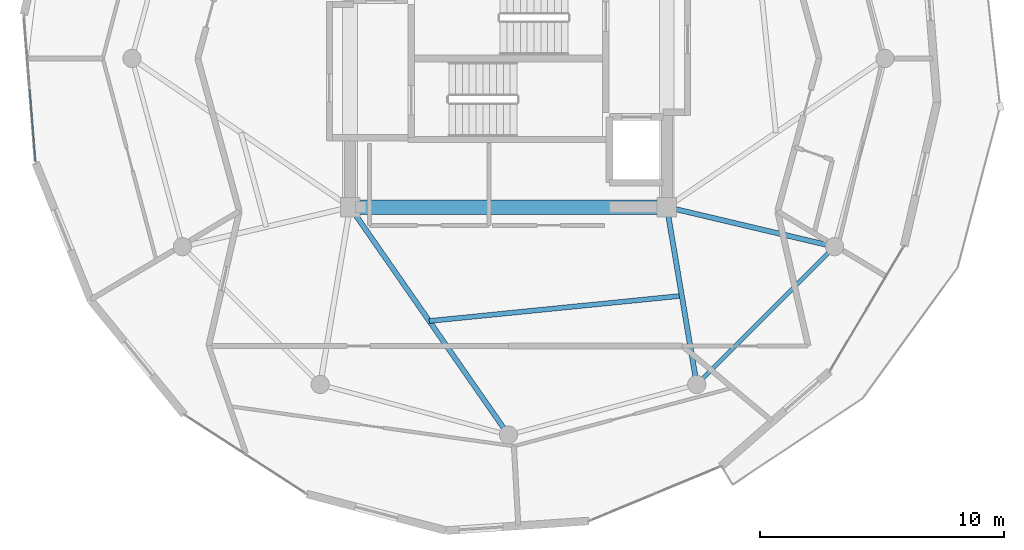
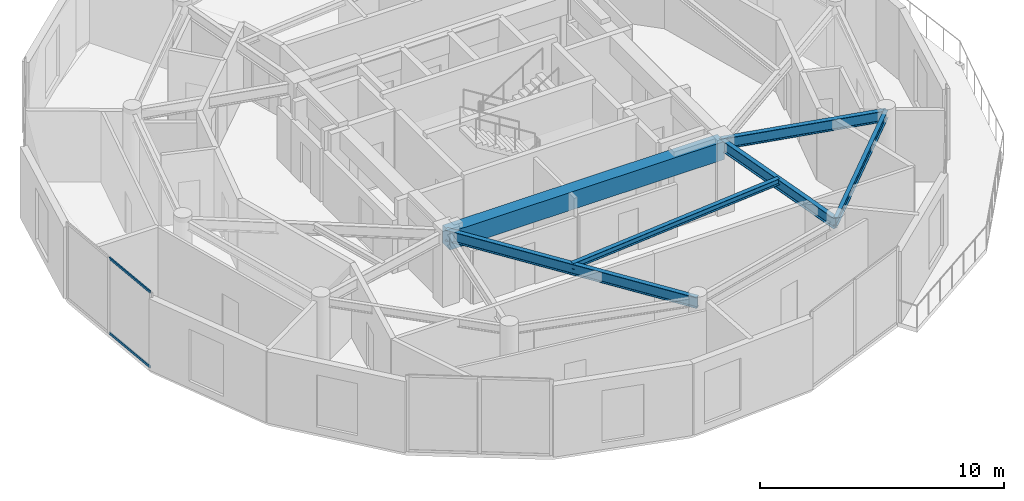
# One storey, part 7 of 22: 6 beams, 2 members, 1 element without a shape of its own.
"""IFC4 building model written with IfcOpenShell, lengths in metres."""

from ifc_helpers import new_model, si_unit, direction, frame, origin, origin_2d, place, context, subcontext, project, spatial, rectangle, hollow_rectangle, i_section, extrude, source, transform, mapped, material, layer, layer_set, material_profile, profile_set, type_object, element, aggregate, save


model = new_model("IFC4")

# Units and contexts
model_context = context("Model", 3, precision=1e-05, world=origin(), true_north=direction((0.0, 1.0)))
body_context = subcontext(model_context, "Body", "Model", "MODEL_VIEW")
ifc_project = project(units=[si_unit("LENGTHUNIT", "METRE"), si_unit("AREAUNIT", "SQUARE_METRE"), si_unit("VOLUMEUNIT", "CUBIC_METRE"), si_unit("PLANEANGLEUNIT", "RADIAN"), si_unit("MASSUNIT", "GRAM", prefix="KILO")], contexts=[model_context])

# Site, building, storey
site_placement = place(None, origin())
site = spatial("IfcSite", under=ifc_project, at=site_placement, CompositionType="ELEMENT")
building_placement = place(site_placement, origin())
building = spatial("IfcBuilding", under=site, at=building_placement, Name="Solvirekh Grand Hotel", CompositionType="ELEMENT")
storey_placement = place(building_placement, frame((0.0, 0.0, 239.199951171875)))
storey = spatial("IfcBuildingStorey", under=building, at=storey_placement, Name="L62", CompositionType="ELEMENT", Elevation=239.199951171875)

# Beams
ifc_material_1 = material(Name="Concrete C50/60", Category="concrete")
ifc_material_profile_1 = material_profile(ifc_material_1, rectangle(XDim=0.60009765625, YDim=0.89990234375, at=origin_2d()), Name="RC BEAM 600X900")
ifc_profile_set_1 = profile_set([ifc_material_profile_1], Name="Concrete C50/60")
beam_type_1 = type_object("IfcBeamType", Name="Beam_Core_RC900", PredefinedType="BEAM", material=ifc_profile_set_1)
beam_1_placement = place(storey_placement, frame((-6.5, -6.10009765625, 3.1201171875), z_axis=(1.0, 0.0, 0.0), x_axis=(0.0, 1.0, 0.0)))
element("IfcBeam", 1, at=beam_1_placement, inside=storey, type_object=beam_type_1, Name="L62 core coupling ring beam 1", PredefinedType="BEAM", context=body_context, shape_type="SweptSolid", body=[
    extrude(rectangle(XDim=0.60009765625, YDim=0.89990234375, at=origin_2d()), origin(), (0.0, 0.0, 1.0), 13.0),
])
ifc_material_2 = material(Name="Steel S355", Category="steel")
ifc_material_profile_2 = material_profile(ifc_material_2, i_section(OverallWidth=0.2119140625, OverallDepth=0.5439453125, WebThickness=0.011962890625, FlangeThickness=0.01904296875, FilletRadius=0.013916015625, at=origin_2d()), Name="W530X123")
ifc_profile_set_2 = profile_set([ifc_material_profile_2], Name="Steel S355")
beam_type_2 = type_object("IfcBeamType", Name="Beam_Radial_W530H", PredefinedType="BEAM", material=ifc_profile_set_2)
beam_2_placement = place(storey_placement, frame((-6.5, -6.10009765625, 3.298095703125), z_axis=(0.570813192472, -0.821079959139, 0.0), x_axis=(0.821079959139, 0.570813192472, 0.0)))
element("IfcBeam", 2, at=beam_2_placement, inside=storey, type_object=beam_type_2, Name="L62 radial floor beam R10", PredefinedType="BEAM", context=body_context, shape_type="SweptSolid", body=[
    extrude(i_section(OverallWidth=0.2119140625, OverallDepth=0.5439453125, WebThickness=0.011962890625, FlangeThickness=0.01904296875, FilletRadius=0.013916015625, at=origin_2d()), origin(), (0.0, 0.0, 1.0), 11.38720703125),
])
beam_3_placement = place(storey_placement, frame((6.5, -6.10009765625, 3.298095703125), z_axis=(0.165954049106, -0.986133486697, 0.0), x_axis=(0.986133486697, 0.165954049106, 0.0)))
element("IfcBeam", 3, at=beam_3_placement, inside=storey, type_object=beam_type_2, Name="L62 radial floor beam R11", PredefinedType="BEAM", context=body_context, shape_type="SweptSolid", body=[
    extrude(i_section(OverallWidth=0.2119140625, OverallDepth=0.5439453125, WebThickness=0.011962890625, FlangeThickness=0.01904296875, FilletRadius=0.013916015625, at=origin_2d()), origin(), (0.0, 0.0, 1.0), 7.382080078125),
])
beam_4_placement = place(storey_placement, frame((6.5, -6.10009765625, 3.298095703125), z_axis=(0.973221147544, -0.229870828888, 0.0), x_axis=(0.229870828888, 0.973221147544, 0.0)))
element("IfcBeam", 4, at=beam_4_placement, inside=storey, type_object=beam_type_2, Name="L62 radial floor beam R12", PredefinedType="BEAM", context=body_context, shape_type="SweptSolid", body=[
    extrude(i_section(OverallWidth=0.2119140625, OverallDepth=0.5439453125, WebThickness=0.011962890625, FlangeThickness=0.01904296875, FilletRadius=0.013916015625, at=origin_2d()), origin(), (0.0, 0.0, 1.0), 7.069091796875),
])
ifc_material_profile_3 = material_profile(ifc_material_2, i_section(OverallWidth=0.202880859375, OverallDepth=0.302978515625, WebThickness=0.008056640625, FlangeThickness=0.012939453125, FilletRadius=0.010009765625, at=origin_2d()), Name="W310X60")
ifc_profile_set_3 = profile_set([ifc_material_profile_3], Name="Steel S355")
beam_type_3 = type_object("IfcBeamType", Name="Joist_Floor_W310", PredefinedType="JOIST", material=ifc_profile_set_3)
beam_5_placement = place(storey_placement, frame((-3.25, -10.77490234375, 3.4189453125), z_axis=(0.995049485097, 0.099380693338, 0.0), x_axis=(-0.099380693338, 0.995049485097, 0.0)))
element("IfcBeam", 5, at=beam_5_placement, inside=storey, type_object=beam_type_3, Name="L62 secondary composite floor joist 10", PredefinedType="JOIST", context=body_context, shape_type="SweptSolid", body=[
    extrude(i_section(OverallWidth=0.202880859375, OverallDepth=0.302978515625, WebThickness=0.008056640625, FlangeThickness=0.012939453125, FilletRadius=0.010009765625, at=origin_2d()), origin(), (0.0, 0.0, 1.0), 10.41357421875),
])
ifc_material_profile_4 = material_profile(ifc_material_2, i_section(OverallWidth=0.180908203125, OverallDepth=0.4169921875, WebThickness=0.010009765625, FlangeThickness=0.01611328125, FilletRadius=0.011962890625, at=origin_2d()), Name="W410X85")
ifc_profile_set_4 = profile_set([ifc_material_profile_4], Name="Steel S355")
beam_type_4 = type_object("IfcBeamType", Name="Spandrel_Ring_W410", PredefinedType="SPANDREL", material=ifc_profile_set_4)
beam_6_placement = place(storey_placement, frame((7.72509765625, -13.3798828125, 3.362060546875), z_axis=(0.707106781187, 0.707106781187, 0.0), x_axis=(-0.707106781187, 0.707106781187, 0.0)))
element("IfcBeam", 6, at=beam_6_placement, inside=storey, type_object=beam_type_4, Name="L62 perimeter spandrel beam 11", PredefinedType="SPANDREL", context=body_context, shape_type="SweptSolid", body=[
    extrude(i_section(OverallWidth=0.180908203125, OverallDepth=0.4169921875, WebThickness=0.010009765625, FlangeThickness=0.01611328125, FilletRadius=0.011962890625, at=origin_2d()), origin(), (0.0, 0.0, 1.0), 7.9970703125),
])

# Curtain wall, members
ifc_material_3 = material(Name="Anodized Bronze Aluminium 6063-T6", Category="aluminium")
ifc_layer = layer(ifc_material_3, 0.159912109375)
ifc_layer_set = layer_set([ifc_layer], Name="Anodized Bronze Aluminium 6063-T6")
curtain_wall_type = type_object("IfcCurtainWallType", Name="CW_Sys4_HighZoneFlushBronzeCW", PredefinedType="NOTDEFINED", material=ifc_layer_set)
curtain_wall_placement = place(storey_placement, origin())
curtain_wall = element("IfcCurtainWall", 7, at=curtain_wall_placement, inside=storey, type_object=curtain_wall_type, Name="L62 unitised bronze-glass curtain wall CW-L62-C15", PredefinedType="NOTDEFINED")
ifc_material_profile_5 = material_profile(ifc_material_3, hollow_rectangle(XDim=0.054931640625, YDim=0.1201171875, WallThickness=0.00390625, at=origin_2d()), Name="ALU RHS 120X55X4")
ifc_profile_set_5 = profile_set([ifc_material_profile_5], Name="Anodized Bronze Aluminium 6063-T6")
member_type = type_object("IfcMemberType", Name="CWTransom_Sys4", PredefinedType="USERDEFINED", material=ifc_profile_set_5)
shared_shape = source(origin(), body_context, "Body", "SweptSolid", [
    extrude(hollow_rectangle(XDim=0.054931640625, YDim=0.1201171875, WallThickness=0.00390625, at=origin_2d()), origin(), (0.0, 0.0, 1.0), 2.9580078125),
])
member_1_placement = place(storey_placement, frame((-19.6435546875, -1.2734375, 0.027587890625), z_axis=(0.079069432729, -0.996869111172, 0.0), x_axis=(0.996869111172, 0.079069432729, 0.0)))
member_1 = element("IfcMember", 8, at=member_1_placement, type_object=member_type, Name="U04 transom 2.1", ObjectType="TRANSOM", PredefinedType="USERDEFINED", context=body_context, shape_type="MappedRepresentation", body=[
    mapped(shared_shape, transform((0.0, 0.0, 0.0), x_axis=(1.0, 0.0, 0.0), y_axis=(0.0, 1.0, 0.0), z_axis=(0.0, 0.0, 1.0), scale=1.0)),
])
member_2_placement = place(storey_placement, frame((-19.6435546875, -1.2734375, 3.7724609375), z_axis=(0.079069432729, -0.996869111172, 0.0), x_axis=(0.996869111172, 0.079069432729, 0.0)))
member_2 = element("IfcMember", 9, at=member_2_placement, type_object=member_type, Name="U04 transom 2.2", ObjectType="TRANSOM", PredefinedType="USERDEFINED", context=body_context, shape_type="MappedRepresentation", body=[
    mapped(shared_shape, transform((0.0, 0.0, 0.0), x_axis=(1.0, 0.0, 0.0), y_axis=(0.0, 1.0, 0.0), z_axis=(0.0, 0.0, 1.0), scale=1.0)),
])
aggregate(curtain_wall, [member_1, member_2])

save(model, "model.ifc")
